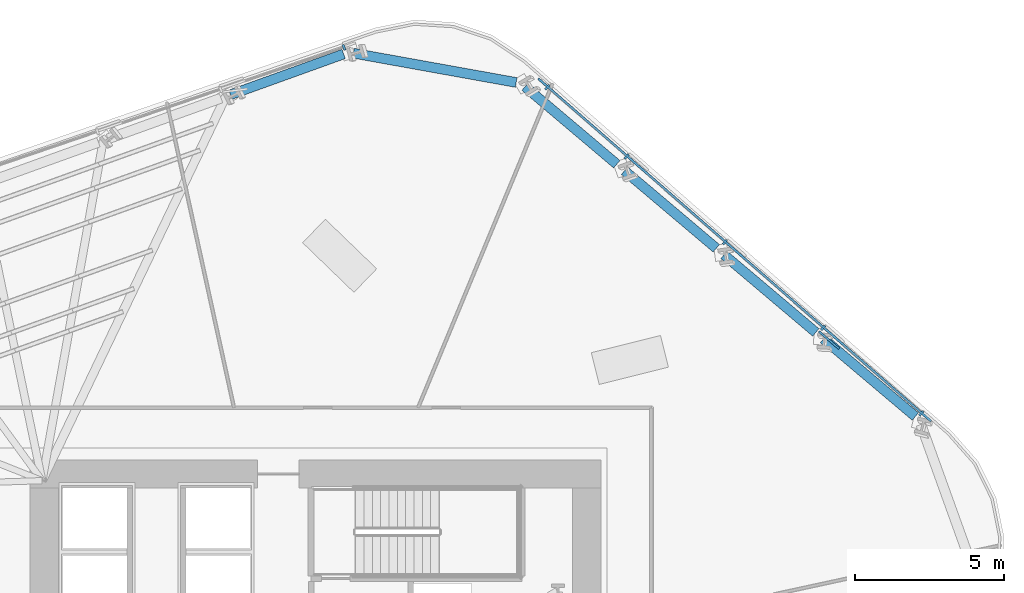
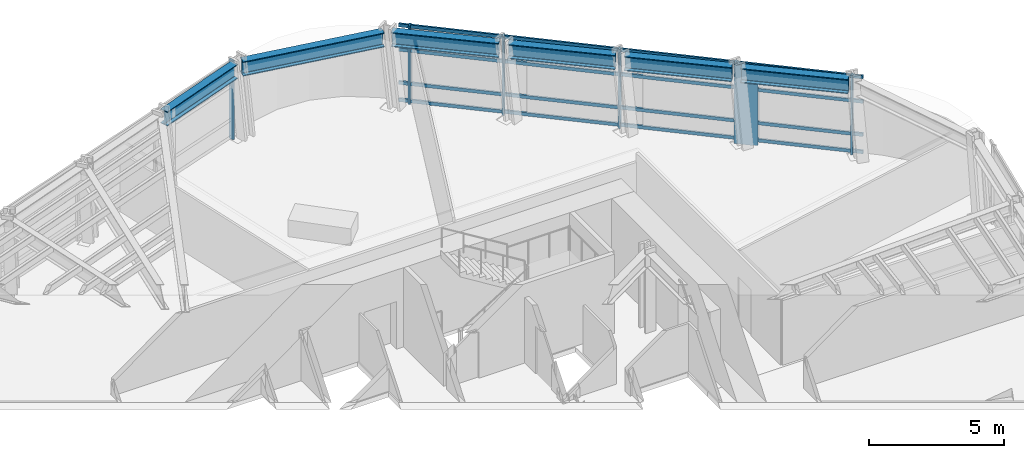
# One storey, part 7 of 16: 11 members, 6 beams, 2 elements without a shape of their own.
"""IFC4 building model written with IfcOpenShell, lengths in metres."""

from ifc_helpers import new_model, si_unit, direction, frame, origin, origin_2d, place, context, subcontext, project, spatial, rectangle, i_section, extrude, material, layer, layer_set, material_profile, profile_set, type_object, element, aggregate, save


model = new_model("IFC4")

# Units and contexts
model_context = context("Model", 3, precision=1e-05, world=origin(), true_north=direction((0.0, 1.0)))
body_context = subcontext(model_context, "Body", "Model", "MODEL_VIEW")
ifc_project = project(units=[si_unit("LENGTHUNIT", "METRE"), si_unit("AREAUNIT", "SQUARE_METRE"), si_unit("VOLUMEUNIT", "CUBIC_METRE"), si_unit("PLANEANGLEUNIT", "RADIAN"), si_unit("MASSUNIT", "GRAM", prefix="KILO")], contexts=[model_context])

# Site, building, storey
site_placement = place(None, origin())
site = spatial("IfcSite", under=ifc_project, at=site_placement, CompositionType="ELEMENT")
building_placement = place(site_placement, origin())
building = spatial("IfcBuilding", under=site, at=building_placement, Name="Valkerne Bourse Tower", CompositionType="ELEMENT")
storey_placement = place(building_placement, frame((0.0, 0.0, 104.800048828125)))
storey = spatial("IfcBuildingStorey", under=building, at=storey_placement, Name="L26", CompositionType="ELEMENT", Elevation=104.800048828125)

# Beams
ifc_material_1 = material(Name="Steel ASTM A992", Category="steel")
ifc_material_profile_1 = material_profile(ifc_material_1, i_section(OverallWidth=0.330078125, OverallDepth=0.647705078125, WebThickness=0.0205078125, FlangeThickness=0.037109375, FilletRadius=0.020263671875, at=origin_2d()), Name="W24X192")
ifc_profile_set_1 = profile_set([ifc_material_profile_1], Name="Steel ASTM A992")
beam_type = type_object("IfcBeamType", Name="BM-W24X192", PredefinedType="SPANDREL", material=ifc_profile_set_1)
for number, where, z_axis, x_axis, name in (
    (1, (66.976806640625, 37.558349609375, 3.256103515625), (-0.763802987372, 0.645449453081, 0.0), (-0.645449453081, -0.763802987372, 0.0), "L26 Hexagonal Spandrel Ring Beam 00"),
    (2, (63.629150390625, 40.387451171875, 3.256103515625), (-0.763802987372, 0.645449453081, 0.0), (-0.645449453081, -0.763802987372, 0.0), "L26 Hexagonal Spandrel Ring Beam 01"),
    (3, (60.281494140625, 43.21630859375, 3.256103515625), (-0.763773218411, 0.645484679011, 0.0), (-0.645484679011, -0.763773218411, 0.0), "L26 Hexagonal Spandrel Ring Beam 02"),
):
    element("IfcBeam", number, at=place(storey_placement, frame(where, z_axis=z_axis, x_axis=x_axis)), inside=storey, type_object=beam_type, Name=name, PredefinedType="SPANDREL", context=body_context, shape_type="SweptSolid", body=[
        extrude(i_section(OverallWidth=0.330078125, OverallDepth=0.647705078125, WebThickness=0.0205078125, FlangeThickness=0.037109375, FilletRadius=0.020263671875, at=origin_2d()), origin(), (0.0, 0.0, 1.0), 4.043212890625),
    ])
beam_1_placement = place(storey_placement, frame((56.93359375, 46.04541015625, 3.256103515625), z_axis=(-0.763777829165, 0.645479223272, 0.0), x_axis=(-0.645479223272, -0.763777829165, 0.0)))
element("IfcBeam", 4, at=beam_1_placement, inside=storey, type_object=beam_type, Name="L26 Hexagonal Spandrel Ring Beam 03", PredefinedType="SPANDREL", context=body_context, shape_type="SweptSolid", body=[
    extrude(i_section(OverallWidth=0.330078125, OverallDepth=0.647705078125, WebThickness=0.0205078125, FlangeThickness=0.037109375, FilletRadius=0.020263671875, at=origin_2d()), origin(), (0.0, 0.0, 1.0), 4.04296875),
])
beam_2_placement = place(storey_placement, frame((53.548583984375, 48.794921875, 3.256103515625), z_axis=(-0.984196784419, 0.177078201762, 0.0), x_axis=(-0.177078201762, -0.984196784419, 0.0)))
element("IfcBeam", 5, at=beam_2_placement, inside=storey, type_object=beam_type, Name="L26 Hexagonal Spandrel Ring Beam 04", PredefinedType="SPANDREL", context=body_context, shape_type="SweptSolid", body=[
    extrude(i_section(OverallWidth=0.330078125, OverallDepth=0.647705078125, WebThickness=0.0205078125, FlangeThickness=0.037109375, FilletRadius=0.020263671875, at=origin_2d()), origin(), (0.0, 0.0, 1.0), 5.564453125),
])
beam_3_placement = place(storey_placement, frame((47.74462890625, 49.752685546875, 3.256103515625), z_axis=(-0.940890491056, -0.338710914853, 0.0), x_axis=(0.338710914853, -0.940890491056, 0.0)))
element("IfcBeam", 6, at=beam_3_placement, inside=storey, type_object=beam_type, Name="L26 Hexagonal Spandrel Ring Beam 05", PredefinedType="SPANDREL", context=body_context, shape_type="SweptSolid", body=[
    extrude(i_section(OverallWidth=0.330078125, OverallDepth=0.647705078125, WebThickness=0.0205078125, FlangeThickness=0.037109375, FilletRadius=0.020263671875, at=origin_2d()), origin(), (0.0, 0.0, 1.0), 4.04296875),
])

# Curtain wall, members
ifc_material_2 = material(Name="Aluminium AA 6063-T6", Category="aluminium")
ifc_layer = layer(ifc_material_2, 0.22998046875)
ifc_layer_set = layer_set([ifc_layer], Name="Aluminium AA 6063-T6")
curtain_wall_type = type_object("IfcCurtainWallType", Name="CW-02", PredefinedType="NOTDEFINED", material=ifc_layer_set)
curtain_wall_1_placement = place(storey_placement, origin())
curtain_wall_1 = element("IfcCurtainWall", 7, at=curtain_wall_1_placement, inside=storey, type_object=curtain_wall_type, Name="L26 Hexagonal Stick Curtain Wall Face 1", PredefinedType="NOTDEFINED")
ifc_material_profile_2 = material_profile(ifc_material_2, rectangle(XDim=0.074951171875, YDim=0.199951171875, at=origin_2d()), Name="CWM-75X200")
ifc_profile_set_2 = profile_set([ifc_material_profile_2], Name="Aluminium AA 6063-T6")
member_type_1 = type_object("IfcMemberType", Name="CW-MUL-220X75", PredefinedType="MULLION", material=ifc_profile_set_2)
member_1_placement = place(storey_placement, frame((67.17529296875, 37.66064453125, 0.0), z_axis=(0.0, 0.0, 1.0), x_axis=(-0.753563766815, 0.657374816481, 0.0)))
member_1 = element("IfcMember", 8, at=member_1_placement, type_object=member_type_1, Name="CW-L26-F1 Jamb Mullion 00A", PredefinedType="MULLION", context=body_context, shape_type="SweptSolid", body=[
    extrude(rectangle(XDim=0.074951171875, YDim=0.199951171875, at=origin_2d()), origin(), (0.0, 0.0, 1.0), 3.579833984375),
])
member_2_placement = place(storey_placement, frame((63.872314453125, 40.5419921875, 0.0), z_axis=(0.0, 0.0, 1.0), x_axis=(-0.753575068934, 0.65736186038, 0.0)))
member_2 = element("IfcMember", 9, at=member_2_placement, type_object=member_type_1, Name="CW-L26-F1 Jamb Mullion 01A", PredefinedType="MULLION", context=body_context, shape_type="SweptSolid", body=[
    extrude(rectangle(XDim=0.074951171875, YDim=0.199951171875, at=origin_2d()), origin(), (0.0, 0.0, 1.0), 3.579833984375),
])
member_3_placement = place(storey_placement, frame((60.569580078125, 43.423095703125, 0.0), z_axis=(0.0, 0.0, 1.0), x_axis=(-0.75355390716, 0.657386118658, 0.0)))
member_3 = element("IfcMember", 10, at=member_3_placement, type_object=member_type_1, Name="CW-L26-F1 Jamb Mullion 02A", PredefinedType="MULLION", context=body_context, shape_type="SweptSolid", body=[
    extrude(rectangle(XDim=0.074951171875, YDim=0.199951171875, at=origin_2d()), origin(), (0.0, 0.0, 1.0), 3.579833984375),
])
member_4_placement = place(storey_placement, frame((57.2666015625, 46.304443359375, 0.0), z_axis=(0.0, 0.0, 1.0), x_axis=(-0.753563766815, 0.657374816481, 0.0)))
member_4 = element("IfcMember", 11, at=member_4_placement, type_object=member_type_1, Name="CW-L26-F1 Jamb Mullion 03A", PredefinedType="MULLION", context=body_context, shape_type="SweptSolid", body=[
    extrude(rectangle(XDim=0.074951171875, YDim=0.199951171875, at=origin_2d()), origin(), (0.0, 0.0, 1.0), 3.579833984375),
])
member_5_placement = place(storey_placement, frame((54.5966796875, 48.633544921875, 0.0), z_axis=(0.0, 0.0, 1.0), x_axis=(-0.753563766815, 0.657374816481, 0.0)))
member_5 = element("IfcMember", 12, at=member_5_placement, type_object=member_type_1, Name="CW-L26-F1 Jamb Mullion 03B", PredefinedType="MULLION", context=body_context, shape_type="SweptSolid", body=[
    extrude(rectangle(XDim=0.074951171875, YDim=0.199951171875, at=origin_2d()), origin(), (0.0, 0.0, 1.0), 3.579833984375),
])

# Curtain wall, member
curtain_wall_2_placement = place(storey_placement, origin())
curtain_wall_2 = element("IfcCurtainWall", 13, at=curtain_wall_2_placement, inside=storey, type_object=curtain_wall_type, Name="L26 Hexagonal Stick Curtain Wall Face 2", PredefinedType="NOTDEFINED")
member_6_placement = place(storey_placement, frame((47.755126953125, 49.975830078125, 0.0), z_axis=(0.0, 0.0, 1.0), x_axis=(-0.946087647887, -0.323910732325, 0.0)))
member_6 = element("IfcMember", 14, at=member_6_placement, type_object=member_type_1, Name="CW-L26-F2 Jamb Mullion 00A", PredefinedType="MULLION", context=body_context, shape_type="SweptSolid", body=[
    extrude(rectangle(XDim=0.074951171875, YDim=0.199951171875, at=origin_2d()), origin(), (0.0, 0.0, 1.0), 3.579833984375),
])
aggregate(curtain_wall_2, [member_6])

# Member
ifc_material_profile_3 = material_profile(ifc_material_2, rectangle(XDim=0.074951171875, YDim=0.14990234375, at=origin_2d()), Name="CWT-75X150")
ifc_profile_set_3 = profile_set([ifc_material_profile_3], Name="Aluminium AA 6063-T6")
member_type_2 = type_object("IfcMemberType", Name="CW-TRN-180X65", PredefinedType="USERDEFINED", material=ifc_profile_set_3)
member_7_placement = place(storey_placement, frame((67.5048828125, 37.399658203125, 0.119873046875), z_axis=(-0.753560984646, 0.657378005732, 0.0), x_axis=(-0.657378005732, -0.753560984646, 0.0)))
member_7 = element("IfcMember", 15, at=member_7_placement, type_object=member_type_2, Name="CW-L26-F1 Continuous Face Transom 1", ObjectType="TRANSOM", PredefinedType="USERDEFINED", context=body_context, shape_type="SweptSolid", body=[
    extrude(rectangle(XDim=0.074951171875, YDim=0.14990234375, at=origin_2d()), origin(), (0.0, 0.0, 1.0), 17.531982421875),
])

member_8_placement = place(storey_placement, frame((67.5048828125, 37.399658203125, 0.89990234375), z_axis=(-0.753560984646, 0.657378005732, 0.0), x_axis=(-0.657378005732, -0.753560984646, 0.0)))
member_8 = element("IfcMember", 16, at=member_8_placement, type_object=member_type_2, Name="CW-L26-F1 Continuous Face Transom 2", ObjectType="TRANSOM", PredefinedType="USERDEFINED", context=body_context, shape_type="SweptSolid", body=[
    extrude(rectangle(XDim=0.074951171875, YDim=0.14990234375, at=origin_2d()), origin(), (0.0, 0.0, 1.0), 17.531982421875),
])

member_9_placement = place(storey_placement, frame((67.5048828125, 37.399658203125, 2.39990234375), z_axis=(-0.753560984646, 0.657378005732, 0.0), x_axis=(-0.657378005732, -0.753560984646, 0.0)))
member_9 = element("IfcMember", 17, at=member_9_placement, type_object=member_type_2, Name="CW-L26-F1 Continuous Face Transom 3", ObjectType="TRANSOM", PredefinedType="USERDEFINED", context=body_context, shape_type="SweptSolid", body=[
    extrude(rectangle(XDim=0.074951171875, YDim=0.14990234375, at=origin_2d()), origin(), (0.0, 0.0, 1.0), 17.531982421875),
])

member_10_placement = place(storey_placement, frame((67.5048828125, 37.399658203125, 3.5), z_axis=(-0.753560984646, 0.657378005732, 0.0), x_axis=(-0.657378005732, -0.753560984646, 0.0)))
member_10 = element("IfcMember", 18, at=member_10_placement, type_object=member_type_2, Name="CW-L26-F1 Continuous Face Transom 4", ObjectType="TRANSOM", PredefinedType="USERDEFINED", context=body_context, shape_type="SweptSolid", body=[
    extrude(rectangle(XDim=0.074951171875, YDim=0.14990234375, at=origin_2d()), origin(), (0.0, 0.0, 1.0), 17.531982421875),
])

aggregate(curtain_wall_1, [member_7, member_8, member_9, member_10, member_1, member_2, member_3, member_4, member_5])

ifc_material_3 = material(Name="Bronze Anodised Aluminium AA 6063-T6", Category="aluminium")
ifc_material_profile_4 = material_profile(ifc_material_3, rectangle(XDim=0.070068359375, YDim=0.89990234375, at=origin_2d()), Name="FIN-70X900")
ifc_profile_set_4 = profile_set([ifc_material_profile_4], Name="Bronze Anodised Aluminium AA 6063-T6")
member_type_3 = type_object("IfcMemberType", Name="FIN-SOLAR-900", PredefinedType="USERDEFINED", material=ifc_profile_set_4)
member_11_placement = place(storey_placement, frame((64.070556640625, 40.13037109375, 0.00390625), z_axis=(0.0, 0.0, 1.0), x_axis=(0.650591573763, 0.759427813653, 0.0)))
element("IfcMember", 19, at=member_11_placement, inside=storey, type_object=member_type_3, Name="L26 Bronze Anodised Solar Fin F1-01", ObjectType="SOLAR_FIN", PredefinedType="USERDEFINED", context=body_context, shape_type="SweptSolid", body=[
    extrude(rectangle(XDim=0.070068359375, YDim=0.89990234375, at=origin_2d()), origin(), (0.0, 0.0, 1.0), 3.572021484375),
])

save(model, "model.ifc")
